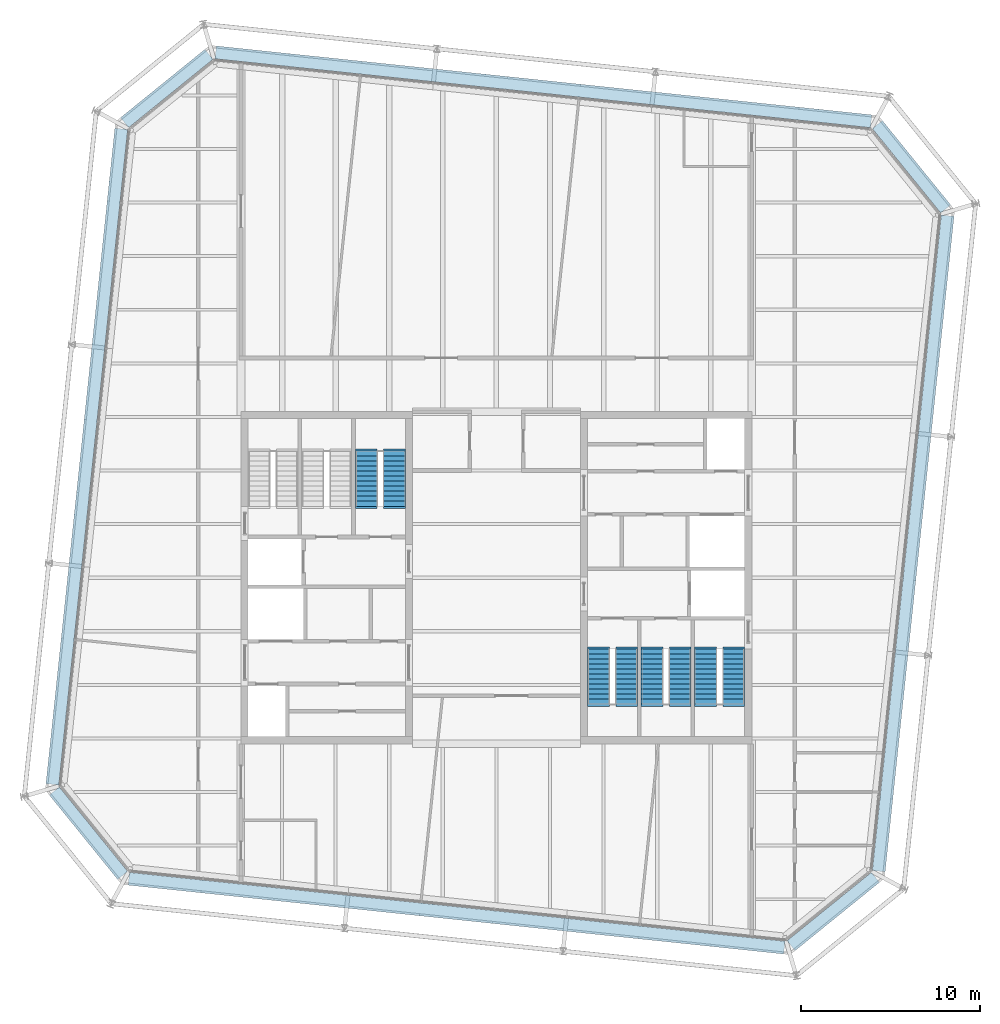
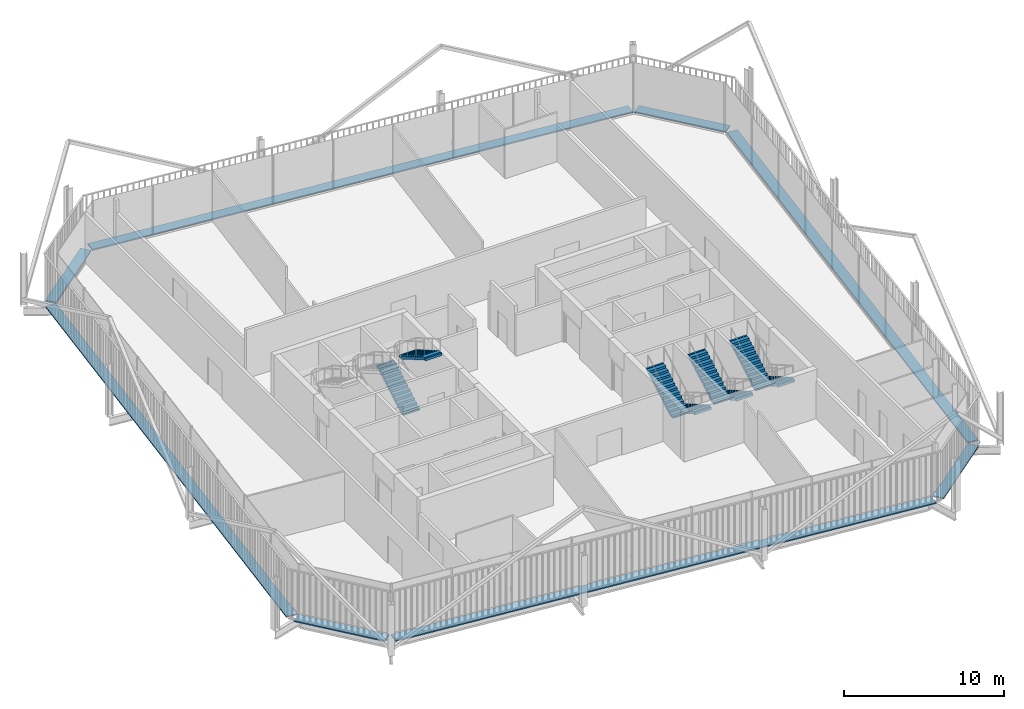
# One storey, part 20 of 21: 8 discrete accessories, 8 stair flights, 4 elements without a shape of their own.
"""IFC4 building model written with IfcOpenShell, lengths in metres."""

from ifc_helpers import new_model, si_unit, direction, frame, origin, origin_2d, place, context, subcontext, project, spatial, polyline, rectangle, outline, extrude, material, type_object, element, aggregate, save


model = new_model("IFC4")

# Units and contexts
model_context = context("Model", 3, precision=1e-05, world=origin(), true_north=direction((0.0, 1.0)))
body_context = subcontext(model_context, "Body", "Model", "MODEL_VIEW")
ifc_project = project(units=[si_unit("LENGTHUNIT", "METRE"), si_unit("AREAUNIT", "SQUARE_METRE"), si_unit("VOLUMEUNIT", "CUBIC_METRE"), si_unit("PLANEANGLEUNIT", "RADIAN"), si_unit("MASSUNIT", "GRAM", prefix="KILO")], contexts=[model_context])

# Site, building, storey
site_placement = place(None, origin())
site = spatial("IfcSite", under=ifc_project, at=site_placement, CompositionType="ELEMENT")
building_placement = place(site_placement, origin())
building = spatial("IfcBuilding", under=site, at=building_placement, Name="Millrace Tower", CompositionType="ELEMENT")
storey_placement = place(building_placement, frame((0.0, 0.0, 299.39990234375)))
storey = spatial("IfcBuildingStorey", under=building, at=storey_placement, Name="L69", CompositionType="ELEMENT", Elevation=299.39990234375)

# Stair, stair flights
ifc_material_1 = material(Name="Concrete C35", Category="concrete")
stair_type = type_object("IfcStairType", Name="Exit stair", PredefinedType="HALF_TURN_STAIR", material=ifc_material_1)
placement = place(storey_placement, origin())
stair_1 = element("IfcStair", 1, at=placement, inside=storey, type_object=stair_type, Name="Stair 3 W L69", PredefinedType="HALF_TURN_STAIR")
ifc_material_2 = material(Name="Concrete C35", Category="concrete")
stair_flight_type = type_object("IfcStairFlightType", Name="Exit stair flight", PredefinedType="STRAIGHT", material=ifc_material_2)
stair_flight_1_placement = place(storey_placement, frame((-7.2900390625, 4.0, 0.0), z_axis=(0.0, 0.0, 1.0), x_axis=(0.0, 1.0, 0.0)))
stair_flight_1 = element("IfcStairFlight", 2, at=stair_flight_1_placement, type_object=stair_flight_type, Name="ST12 flight 1", NumberOfRisers=12, NumberOfTreads=11, PredefinedType="STRAIGHT", RiserHeight=0.1625, TreadLength=0.28, context=body_context, shape_type="SweptSolid", body=[
    extrude(outline(polyline([(-0.1201171875, -0.0400390625), (-0.1201171875, 0.0), (0.0, 0.0), (0.0, 0.16259765625), (0.280029296875, 0.16259765625), (0.280029296875, 0.324951171875), (0.56005859375, 0.324951171875), (0.56005859375, 0.487548828125), (0.840087890625, 0.487548828125), (0.840087890625, 0.64990234375), (1.1201171875, 0.64990234375), (1.1201171875, 0.8125), (1.39990234375, 0.8125), (1.39990234375, 0.97509765625), (1.679931640625, 0.97509765625), (1.679931640625, 1.137451171875), (1.9599609375, 1.137451171875), (1.9599609375, 1.300048828125), (2.239990234375, 1.300048828125), (2.239990234375, 1.46240234375), (2.52001953125, 1.46240234375), (2.52001953125, 1.625), (2.800048828125, 1.625), (2.800048828125, 1.78759765625), (3.080078125, 1.78759765625), (3.080078125, 1.8076171875), (3.199951171875, 1.8076171875), (3.199951171875, 1.6142578125), (3.080078125, 1.6142578125), (0.298583984375, 0.0), (0.298583984375, -0.0400390625), (-0.1201171875, -0.0400390625)])), frame((0.0, 0.60986328125, 0.0), z_axis=(0.0, -1.0, 0.0), x_axis=(1.0, 0.0, 0.0)), (0.0, 0.0, 1.0), 1.219970703125),
])
stair_flight_2_placement = place(storey_placement, frame((-5.7099609375, 7.080078125, 1.9501953125), z_axis=(0.0, 0.0, 1.0), x_axis=(0.0, -1.0, 0.0)))
stair_flight_2 = element("IfcStairFlight", 3, at=stair_flight_2_placement, type_object=stair_flight_type, Name="ST12 flight 2", NumberOfRisers=12, NumberOfTreads=11, PredefinedType="STRAIGHT", RiserHeight=0.1625, TreadLength=0.28, context=body_context, shape_type="SweptSolid", body=[
    extrude(outline(polyline([(-0.1201171875, -0.0400390625), (-0.1201171875, 0.0), (0.0, 0.0), (0.0, 0.16259765625), (0.280029296875, 0.16259765625), (0.280029296875, 0.324951171875), (0.56005859375, 0.324951171875), (0.56005859375, 0.487548828125), (0.840087890625, 0.487548828125), (0.840087890625, 0.64990234375), (1.1201171875, 0.64990234375), (1.1201171875, 0.8125), (1.39990234375, 0.8125), (1.39990234375, 0.97509765625), (1.679931640625, 0.97509765625), (1.679931640625, 1.137451171875), (1.9599609375, 1.137451171875), (1.9599609375, 1.300048828125), (2.239990234375, 1.300048828125), (2.239990234375, 1.46240234375), (2.52001953125, 1.46240234375), (2.52001953125, 1.625), (2.800048828125, 1.625), (2.800048828125, 1.78759765625), (3.080078125, 1.78759765625), (3.080078125, 1.8076171875), (3.199951171875, 1.8076171875), (3.199951171875, 1.6142578125), (3.080078125, 1.6142578125), (0.298583984375, 0.0), (0.298583984375, -0.0400390625), (-0.1201171875, -0.0400390625)])), frame((0.0, 0.60986328125, 0.0), z_axis=(0.0, -1.0, 0.0), x_axis=(1.0, 0.0, 0.0)), (0.0, 0.0, 1.0), 1.219970703125),
])
aggregate(stair_1, [stair_flight_1, stair_flight_2])

stair_2 = element("IfcStair", 4, at=placement, inside=storey, type_object=stair_type, Name="Stair 1 E L69", PredefinedType="HALF_TURN_STAIR")
stair_flight_3_placement = place(storey_placement, frame((13.2900390625, -4.0, 0.0), z_axis=(0.0, 0.0, 1.0), x_axis=(0.0, -1.0, 0.0)))
stair_flight_3 = element("IfcStairFlight", 5, at=stair_flight_3_placement, type_object=stair_flight_type, Name="ST12 flight 1", NumberOfRisers=12, NumberOfTreads=11, PredefinedType="STRAIGHT", RiserHeight=0.1625, TreadLength=0.28, context=body_context, shape_type="SweptSolid", body=[
    extrude(outline(polyline([(-0.1201171875, -0.0400390625), (-0.1201171875, 0.0), (0.0, 0.0), (0.0, 0.16259765625), (0.280029296875, 0.16259765625), (0.280029296875, 0.324951171875), (0.56005859375, 0.324951171875), (0.56005859375, 0.487548828125), (0.840087890625, 0.487548828125), (0.840087890625, 0.64990234375), (1.1201171875, 0.64990234375), (1.1201171875, 0.8125), (1.39990234375, 0.8125), (1.39990234375, 0.97509765625), (1.679931640625, 0.97509765625), (1.679931640625, 1.137451171875), (1.9599609375, 1.137451171875), (1.9599609375, 1.300048828125), (2.239990234375, 1.300048828125), (2.239990234375, 1.46240234375), (2.52001953125, 1.46240234375), (2.52001953125, 1.625), (2.800048828125, 1.625), (2.800048828125, 1.78759765625), (3.080078125, 1.78759765625), (3.080078125, 1.8076171875), (3.199951171875, 1.8076171875), (3.199951171875, 1.6142578125), (3.080078125, 1.6142578125), (0.298583984375, 0.0), (0.298583984375, -0.0400390625), (-0.1201171875, -0.0400390625)])), frame((0.0, 0.60986328125, 0.0), z_axis=(0.0, -1.0, 0.0), x_axis=(1.0, 0.0, 0.0)), (0.0, 0.0, 1.0), 1.219970703125),
])
stair_flight_4_placement = place(storey_placement, frame((11.7099609375, -7.080078125, 1.9501953125), z_axis=(0.0, 0.0, 1.0), x_axis=(0.0, 1.0, 0.0)))
stair_flight_4 = element("IfcStairFlight", 6, at=stair_flight_4_placement, type_object=stair_flight_type, Name="ST12 flight 2", NumberOfRisers=12, NumberOfTreads=11, PredefinedType="STRAIGHT", RiserHeight=0.1625, TreadLength=0.28, context=body_context, shape_type="SweptSolid", body=[
    extrude(outline(polyline([(-0.1201171875, -0.0400390625), (-0.1201171875, 0.0), (0.0, 0.0), (0.0, 0.16259765625), (0.280029296875, 0.16259765625), (0.280029296875, 0.324951171875), (0.56005859375, 0.324951171875), (0.56005859375, 0.487548828125), (0.840087890625, 0.487548828125), (0.840087890625, 0.64990234375), (1.1201171875, 0.64990234375), (1.1201171875, 0.8125), (1.39990234375, 0.8125), (1.39990234375, 0.97509765625), (1.679931640625, 0.97509765625), (1.679931640625, 1.137451171875), (1.9599609375, 1.137451171875), (1.9599609375, 1.300048828125), (2.239990234375, 1.300048828125), (2.239990234375, 1.46240234375), (2.52001953125, 1.46240234375), (2.52001953125, 1.625), (2.800048828125, 1.625), (2.800048828125, 1.78759765625), (3.080078125, 1.78759765625), (3.080078125, 1.8076171875), (3.199951171875, 1.8076171875), (3.199951171875, 1.6142578125), (3.080078125, 1.6142578125), (0.298583984375, 0.0), (0.298583984375, -0.0400390625), (-0.1201171875, -0.0400390625)])), frame((0.0, 0.60986328125, 0.0), z_axis=(0.0, -1.0, 0.0), x_axis=(1.0, 0.0, 0.0)), (0.0, 0.0, 1.0), 1.219970703125),
])
aggregate(stair_2, [stair_flight_3, stair_flight_4])

stair_3 = element("IfcStair", 7, at=placement, inside=storey, type_object=stair_type, Name="Stair 2 E L69", PredefinedType="HALF_TURN_STAIR")
stair_flight_5_placement = place(storey_placement, frame((10.2900390625, -4.0, 0.0), z_axis=(0.0, 0.0, 1.0), x_axis=(0.0, -1.0, 0.0)))
stair_flight_5 = element("IfcStairFlight", 8, at=stair_flight_5_placement, type_object=stair_flight_type, Name="ST12 flight 1", NumberOfRisers=12, NumberOfTreads=11, PredefinedType="STRAIGHT", RiserHeight=0.1625, TreadLength=0.28, context=body_context, shape_type="SweptSolid", body=[
    extrude(outline(polyline([(-0.1201171875, -0.0400390625), (-0.1201171875, 0.0), (0.0, 0.0), (0.0, 0.16259765625), (0.280029296875, 0.16259765625), (0.280029296875, 0.324951171875), (0.56005859375, 0.324951171875), (0.56005859375, 0.487548828125), (0.840087890625, 0.487548828125), (0.840087890625, 0.64990234375), (1.1201171875, 0.64990234375), (1.1201171875, 0.8125), (1.39990234375, 0.8125), (1.39990234375, 0.97509765625), (1.679931640625, 0.97509765625), (1.679931640625, 1.137451171875), (1.9599609375, 1.137451171875), (1.9599609375, 1.300048828125), (2.239990234375, 1.300048828125), (2.239990234375, 1.46240234375), (2.52001953125, 1.46240234375), (2.52001953125, 1.625), (2.800048828125, 1.625), (2.800048828125, 1.78759765625), (3.080078125, 1.78759765625), (3.080078125, 1.8076171875), (3.199951171875, 1.8076171875), (3.199951171875, 1.6142578125), (3.080078125, 1.6142578125), (0.298583984375, 0.0), (0.298583984375, -0.0400390625), (-0.1201171875, -0.0400390625)])), frame((0.0, 0.60986328125, 0.0), z_axis=(0.0, -1.0, 0.0), x_axis=(1.0, 0.0, 0.0)), (0.0, 0.0, 1.0), 1.219970703125),
])
stair_flight_6_placement = place(storey_placement, frame((8.7099609375, -7.080078125, 1.9501953125), z_axis=(0.0, 0.0, 1.0), x_axis=(0.0, 1.0, 0.0)))
stair_flight_6 = element("IfcStairFlight", 9, at=stair_flight_6_placement, type_object=stair_flight_type, Name="ST12 flight 2", NumberOfRisers=12, NumberOfTreads=11, PredefinedType="STRAIGHT", RiserHeight=0.1625, TreadLength=0.28, context=body_context, shape_type="SweptSolid", body=[
    extrude(outline(polyline([(-0.1201171875, -0.0400390625), (-0.1201171875, 0.0), (0.0, 0.0), (0.0, 0.16259765625), (0.280029296875, 0.16259765625), (0.280029296875, 0.324951171875), (0.56005859375, 0.324951171875), (0.56005859375, 0.487548828125), (0.840087890625, 0.487548828125), (0.840087890625, 0.64990234375), (1.1201171875, 0.64990234375), (1.1201171875, 0.8125), (1.39990234375, 0.8125), (1.39990234375, 0.97509765625), (1.679931640625, 0.97509765625), (1.679931640625, 1.137451171875), (1.9599609375, 1.137451171875), (1.9599609375, 1.300048828125), (2.239990234375, 1.300048828125), (2.239990234375, 1.46240234375), (2.52001953125, 1.46240234375), (2.52001953125, 1.625), (2.800048828125, 1.625), (2.800048828125, 1.78759765625), (3.080078125, 1.78759765625), (3.080078125, 1.8076171875), (3.199951171875, 1.8076171875), (3.199951171875, 1.6142578125), (3.080078125, 1.6142578125), (0.298583984375, 0.0), (0.298583984375, -0.0400390625), (-0.1201171875, -0.0400390625)])), frame((0.0, 0.60986328125, 0.0), z_axis=(0.0, -1.0, 0.0), x_axis=(1.0, 0.0, 0.0)), (0.0, 0.0, 1.0), 1.219970703125),
])
aggregate(stair_3, [stair_flight_5, stair_flight_6])

stair_4 = element("IfcStair", 10, at=placement, inside=storey, type_object=stair_type, Name="Stair 3 E L69", PredefinedType="HALF_TURN_STAIR")
stair_flight_7_placement = place(storey_placement, frame((7.2900390625, -4.0, 0.0), z_axis=(0.0, 0.0, 1.0), x_axis=(0.0, -1.0, 0.0)))
stair_flight_7 = element("IfcStairFlight", 11, at=stair_flight_7_placement, type_object=stair_flight_type, Name="ST12 flight 1", NumberOfRisers=12, NumberOfTreads=11, PredefinedType="STRAIGHT", RiserHeight=0.1625, TreadLength=0.28, context=body_context, shape_type="SweptSolid", body=[
    extrude(outline(polyline([(-0.1201171875, -0.0400390625), (-0.1201171875, 0.0), (0.0, 0.0), (0.0, 0.16259765625), (0.280029296875, 0.16259765625), (0.280029296875, 0.324951171875), (0.56005859375, 0.324951171875), (0.56005859375, 0.487548828125), (0.840087890625, 0.487548828125), (0.840087890625, 0.64990234375), (1.1201171875, 0.64990234375), (1.1201171875, 0.8125), (1.39990234375, 0.8125), (1.39990234375, 0.97509765625), (1.679931640625, 0.97509765625), (1.679931640625, 1.137451171875), (1.9599609375, 1.137451171875), (1.9599609375, 1.300048828125), (2.239990234375, 1.300048828125), (2.239990234375, 1.46240234375), (2.52001953125, 1.46240234375), (2.52001953125, 1.625), (2.800048828125, 1.625), (2.800048828125, 1.78759765625), (3.080078125, 1.78759765625), (3.080078125, 1.8076171875), (3.199951171875, 1.8076171875), (3.199951171875, 1.6142578125), (3.080078125, 1.6142578125), (0.298583984375, 0.0), (0.298583984375, -0.0400390625), (-0.1201171875, -0.0400390625)])), frame((0.0, 0.60986328125, 0.0), z_axis=(0.0, -1.0, 0.0), x_axis=(1.0, 0.0, 0.0)), (0.0, 0.0, 1.0), 1.219970703125),
])
stair_flight_8_placement = place(storey_placement, frame((5.7099609375, -7.080078125, 1.9501953125), z_axis=(0.0, 0.0, 1.0), x_axis=(0.0, 1.0, 0.0)))
stair_flight_8 = element("IfcStairFlight", 12, at=stair_flight_8_placement, type_object=stair_flight_type, Name="ST12 flight 2", NumberOfRisers=12, NumberOfTreads=11, PredefinedType="STRAIGHT", RiserHeight=0.1625, TreadLength=0.28, context=body_context, shape_type="SweptSolid", body=[
    extrude(outline(polyline([(-0.1201171875, -0.0400390625), (-0.1201171875, 0.0), (0.0, 0.0), (0.0, 0.16259765625), (0.280029296875, 0.16259765625), (0.280029296875, 0.324951171875), (0.56005859375, 0.324951171875), (0.56005859375, 0.487548828125), (0.840087890625, 0.487548828125), (0.840087890625, 0.64990234375), (1.1201171875, 0.64990234375), (1.1201171875, 0.8125), (1.39990234375, 0.8125), (1.39990234375, 0.97509765625), (1.679931640625, 0.97509765625), (1.679931640625, 1.137451171875), (1.9599609375, 1.137451171875), (1.9599609375, 1.300048828125), (2.239990234375, 1.300048828125), (2.239990234375, 1.46240234375), (2.52001953125, 1.46240234375), (2.52001953125, 1.625), (2.800048828125, 1.625), (2.800048828125, 1.78759765625), (3.080078125, 1.78759765625), (3.080078125, 1.8076171875), (3.199951171875, 1.8076171875), (3.199951171875, 1.6142578125), (3.080078125, 1.6142578125), (0.298583984375, 0.0), (0.298583984375, -0.0400390625), (-0.1201171875, -0.0400390625)])), frame((0.0, 0.60986328125, 0.0), z_axis=(0.0, -1.0, 0.0), x_axis=(1.0, 0.0, 0.0)), (0.0, 0.0, 1.0), 1.219970703125),
])
aggregate(stair_4, [stair_flight_7, stair_flight_8])

# Discrete accessories
ifc_material_3 = material(Name="Stainless steel ASTM A240 type 316", Category="steel")
discrete_accessory_type = type_object("IfcDiscreteAccessoryType", Name="Thermally broken screen support rail", PredefinedType="BRACKET", material=ifc_material_3)
discrete_accessory_1_placement = place(storey_placement, frame((-22.836669921875, -14.304931640625, 0.0), z_axis=(0.0, 0.0, 1.0), x_axis=(0.629320278945, -0.777146052237, 0.0)))
element("IfcDiscreteAccessory", 13, at=discrete_accessory_1_placement, inside=storey, type_object=discrete_accessory_type, Name="Thermally broken screen support rail E-F01 L69 1", PredefinedType="BRACKET", context=body_context, shape_type="SweptSolid", body=[
    extrude(rectangle(XDim=6.0810546875, YDim=0.719970703125, at=origin_2d()), origin(), (0.0, 0.0, 1.0), 0.10009765625),
])
discrete_accessory_2_placement = place(storey_placement, frame((-2.2314453125, -18.782470703125, 0.0), z_axis=(0.0, 0.0, 1.0), x_axis=(0.994521896217, -0.104528455196, 0.0)))
element("IfcDiscreteAccessory", 14, at=discrete_accessory_2_placement, inside=storey, type_object=discrete_accessory_type, Name="Thermally broken screen support rail E-F02 L69 1", PredefinedType="BRACKET", context=body_context, shape_type="SweptSolid", body=[
    extrude(rectangle(XDim=36.89990234375, YDim=0.719970703125, at=origin_2d()), origin(), (0.0, 0.0, 1.0), 0.10009765625),
])
discrete_accessory_3_placement = place(storey_placement, frame((18.854736328125, -18.686767578125, 0.0), z_axis=(0.0, 0.0, 1.0), x_axis=(0.777146052237, 0.629320278945, 0.0)))
element("IfcDiscreteAccessory", 15, at=discrete_accessory_3_placement, inside=storey, type_object=discrete_accessory_type, Name="Thermally broken screen support rail E-F03 L69 1", PredefinedType="BRACKET", context=body_context, shape_type="SweptSolid", body=[
    extrude(rectangle(XDim=6.0810546875, YDim=0.719970703125, at=origin_2d()), origin(), (0.0, 0.0, 1.0), 0.10009765625),
])
discrete_accessory_4_placement = place(storey_placement, frame((23.33251953125, 1.918701171875, 0.0), z_axis=(0.0, 0.0, 1.0), x_axis=(0.104528455196, 0.994521896217, 0.0)))
element("IfcDiscreteAccessory", 16, at=discrete_accessory_4_placement, inside=storey, type_object=discrete_accessory_type, Name="Thermally broken screen support rail E-F04 L69 1", PredefinedType="BRACKET", context=body_context, shape_type="SweptSolid", body=[
    extrude(rectangle(XDim=36.89990234375, YDim=0.719970703125, at=origin_2d()), origin(), (0.0, 0.0, 1.0), 0.10009765625),
])
discrete_accessory_5_placement = place(storey_placement, frame((23.23681640625, 23.0048828125, 0.0), z_axis=(0.0, 0.0, 1.0), x_axis=(-0.629320278945, 0.777146052237, 0.0)))
element("IfcDiscreteAccessory", 17, at=discrete_accessory_5_placement, inside=storey, type_object=discrete_accessory_type, Name="Thermally broken screen support rail E-F05 L69 1", PredefinedType="BRACKET", context=body_context, shape_type="SweptSolid", body=[
    extrude(rectangle(XDim=6.0810546875, YDim=0.719970703125, at=origin_2d()), origin(), (0.0, 0.0, 1.0), 0.10009765625),
])
discrete_accessory_6_placement = place(storey_placement, frame((2.63134765625, 27.482666015625, 0.0), z_axis=(0.0, 0.0, 1.0), x_axis=(-0.994521896217, 0.104528455196, 0.0)))
element("IfcDiscreteAccessory", 18, at=discrete_accessory_6_placement, inside=storey, type_object=discrete_accessory_type, Name="Thermally broken screen support rail E-F06 L69 1", PredefinedType="BRACKET", context=body_context, shape_type="SweptSolid", body=[
    extrude(rectangle(XDim=36.89990234375, YDim=0.719970703125, at=origin_2d()), origin(), (0.0, 0.0, 1.0), 0.10009765625),
])
discrete_accessory_7_placement = place(storey_placement, frame((-18.454833984375, 27.38671875, 0.0), z_axis=(0.0, 0.0, 1.0), x_axis=(-0.777146052237, -0.629320278945, 0.0)))
element("IfcDiscreteAccessory", 19, at=discrete_accessory_7_placement, inside=storey, type_object=discrete_accessory_type, Name="Thermally broken screen support rail E-F07 L69 1", PredefinedType="BRACKET", context=body_context, shape_type="SweptSolid", body=[
    extrude(rectangle(XDim=6.0810546875, YDim=0.719970703125, at=origin_2d()), origin(), (0.0, 0.0, 1.0), 0.10009765625),
])
discrete_accessory_8_placement = place(storey_placement, frame((-22.9326171875, 6.78125, 0.0), z_axis=(0.0, 0.0, 1.0), x_axis=(-0.104528455196, -0.994521896217, 0.0)))
element("IfcDiscreteAccessory", 20, at=discrete_accessory_8_placement, inside=storey, type_object=discrete_accessory_type, Name="Thermally broken screen support rail E-F08 L69 1", PredefinedType="BRACKET", context=body_context, shape_type="SweptSolid", body=[
    extrude(rectangle(XDim=36.89990234375, YDim=0.719970703125, at=origin_2d()), origin(), (0.0, 0.0, 1.0), 0.10009765625),
])

save(model, "model.ifc")
